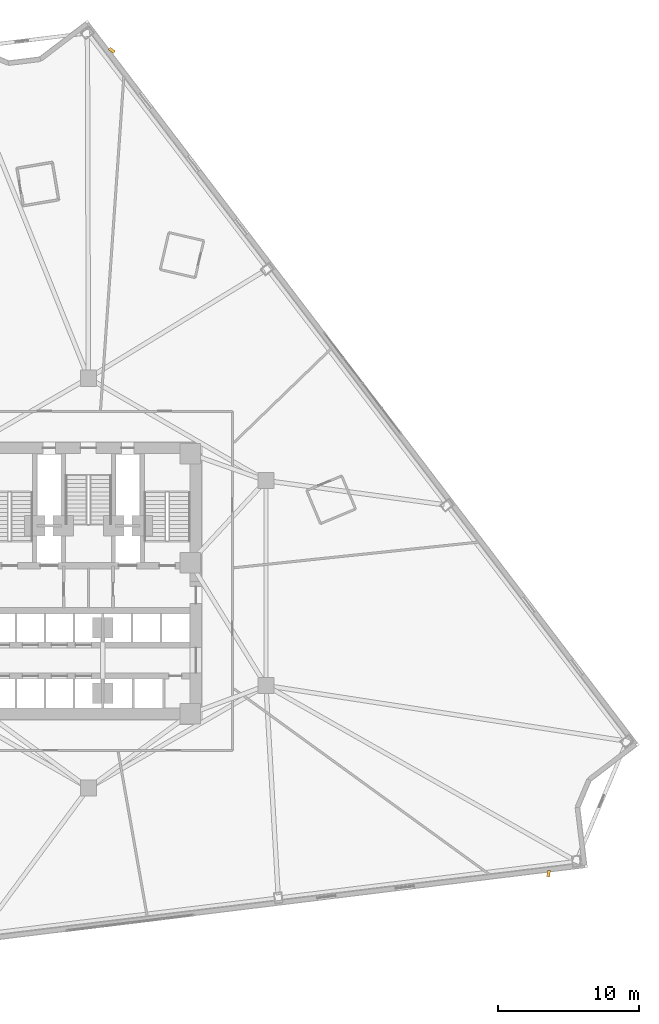
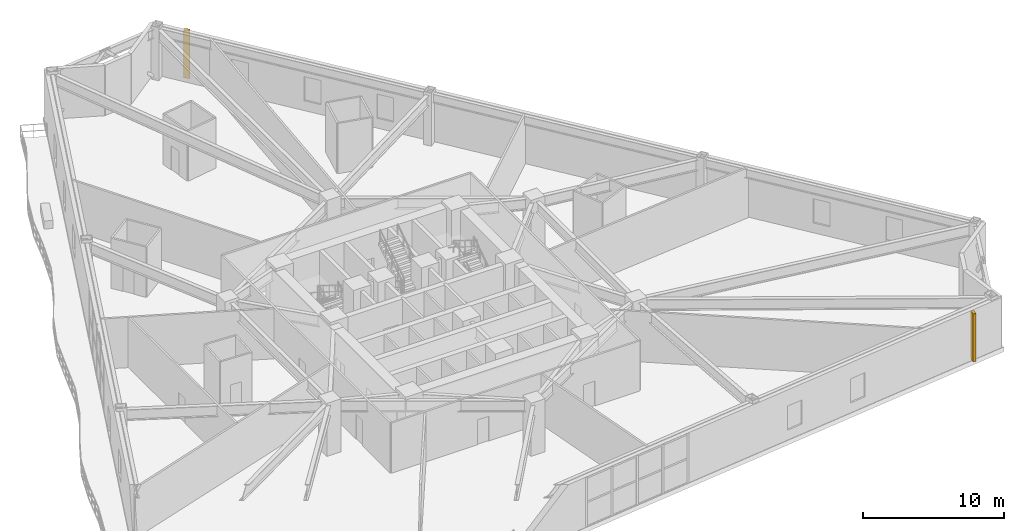
# One storey, part 21 of 21: 2 shading devices.
"""IFC4 building model written with IfcOpenShell, lengths in metres."""

from ifc_helpers import new_model, si_unit, direction, frame, origin, origin_2d, place, context, subcontext, project, spatial, rectangle, extrude, material, type_object, element, save


model = new_model("IFC4")

# Units and contexts
model_context = context("Model", 3, precision=1e-05, world=origin(), true_north=direction((0.0, 1.0)))
body_context = subcontext(model_context, "Body", "Model", "MODEL_VIEW")
ifc_project = project(units=[si_unit("LENGTHUNIT", "METRE"), si_unit("AREAUNIT", "SQUARE_METRE"), si_unit("VOLUMEUNIT", "CUBIC_METRE"), si_unit("PLANEANGLEUNIT", "RADIAN"), si_unit("MASSUNIT", "GRAM", prefix="KILO")], contexts=[model_context])

# Site, building, storey
site_placement = place(None, origin())
site = spatial("IfcSite", under=ifc_project, at=site_placement, CompositionType="ELEMENT")
building_placement = place(site_placement, origin())
building = spatial("IfcBuilding", under=site, at=building_placement, Name="Apsidion Concourse Tower", CompositionType="ELEMENT")
storey_placement = place(building_placement, frame((0.0, 0.0, 62.39990234375)))
storey = spatial("IfcBuildingStorey", under=building, at=storey_placement, Name="L13", CompositionType="ELEMENT", Elevation=62.39990234375)

# Shading devices
ifc_material = material(Name="Anodised aluminium EN AW-6063 T6", Category="aluminium")
shading_device_type = type_object("IfcShadingDeviceType", Name="SH-FIN-STONE", PredefinedType="USERDEFINED", material=ifc_material)
for number, where, z_axis, x_axis, name in (
    (1, (1.659912109375, 37.6865234375, 0.10009765625), (0.0, 0.0, 1.0), (0.605849554723, 0.795579233667, 0.0), "L13 Facade Vertical Solar Fin 1"),
    (2, (32.552490234375, -20.554931640625, 0.10009765625), (0.0, 0.0, 1.0), (-0.992546151641, 0.121869343405, 0.0), "L13 Facade Vertical Solar Fin 5"),
):
    element("IfcShadingDevice", number, at=place(storey_placement, frame(where, z_axis=z_axis, x_axis=x_axis)), inside=storey, type_object=shading_device_type, Name=name, ObjectType="FIN", PredefinedType="USERDEFINED", context=body_context, shape_type="SweptSolid", body=[
        extrude(rectangle(XDim=0.219970703125, YDim=0.449951171875, at=origin_2d()), origin(), (0.0, 0.0, 1.0), 4.14990234375),
    ])

save(model, "model.ifc")
